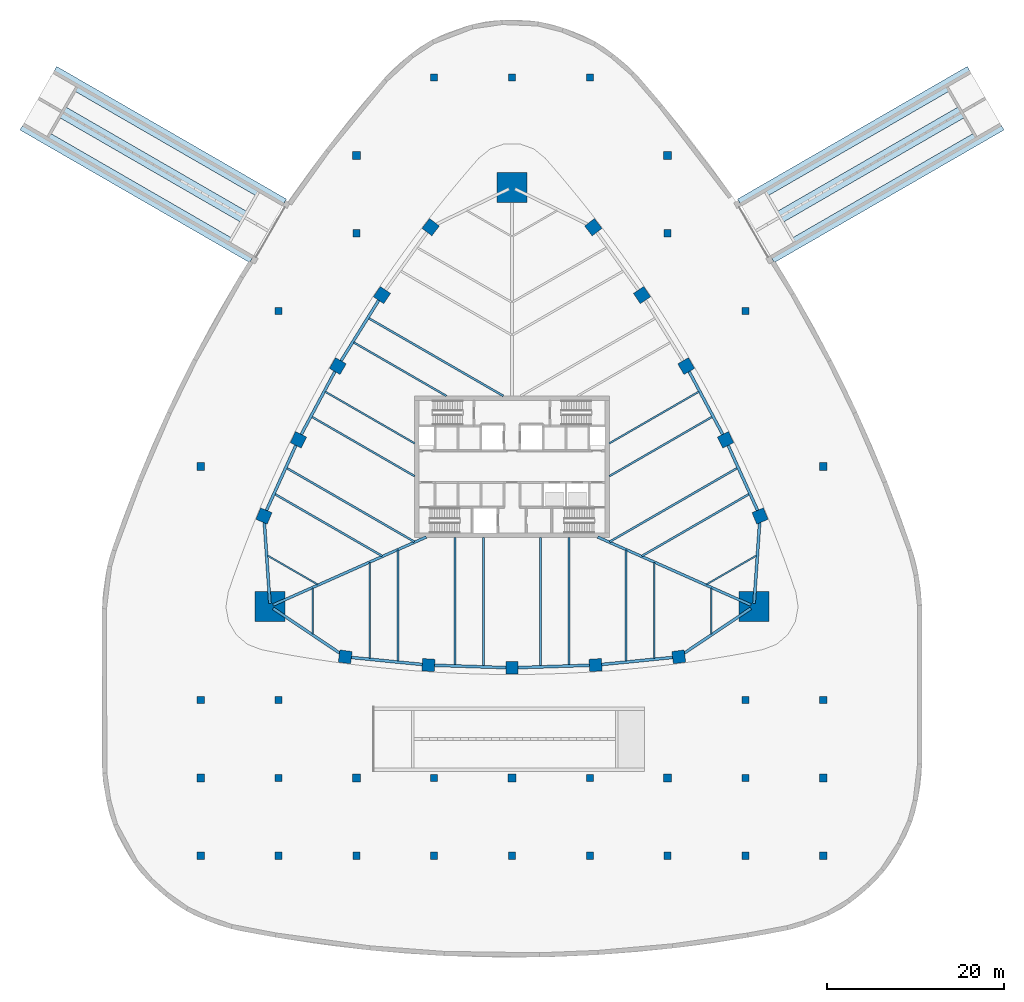
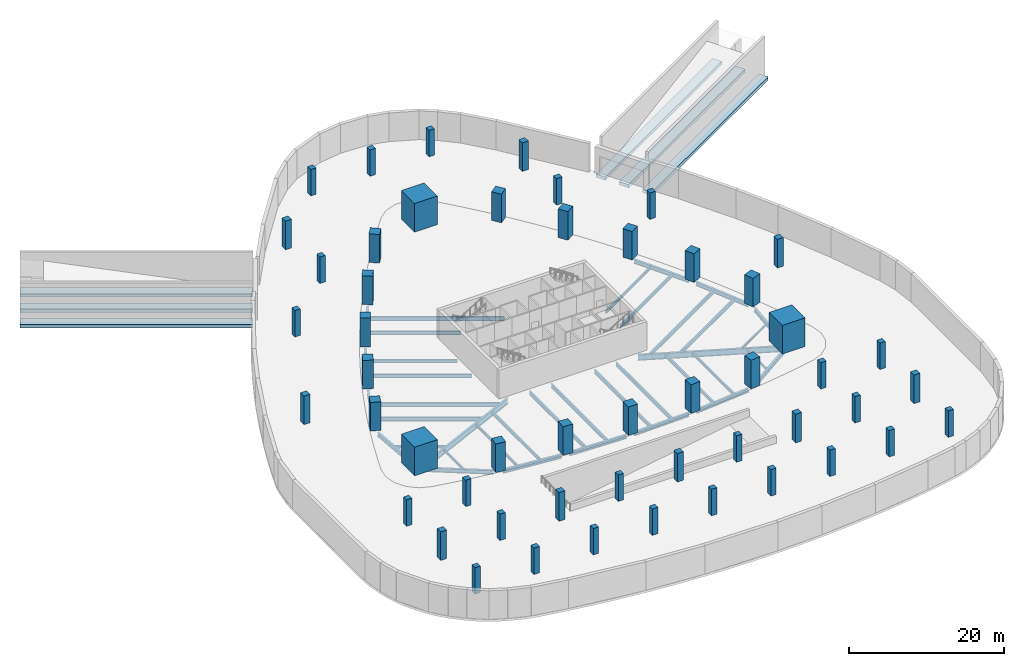
# One storey, part 1 of 10: 51 columns, 37 beams, 6 footings.
"""IFC4 building model written with IfcOpenShell, lengths in metres."""

from ifc_helpers import new_model, si_unit, direction, frame, origin, origin_2d, place, context, subcontext, project, spatial, polyline, rectangle, i_section, outline, extrude, material, material_profile, profile_set, type_object, element, save


model = new_model("IFC4")

# Units and contexts
model_context = context("Model", 3, precision=1e-05, world=origin(), true_north=direction((0.0, 1.0)))
body_context = subcontext(model_context, "Body", "Model", "MODEL_VIEW")
ifc_project = project(units=[si_unit("LENGTHUNIT", "METRE"), si_unit("AREAUNIT", "SQUARE_METRE"), si_unit("VOLUMEUNIT", "CUBIC_METRE"), si_unit("PLANEANGLEUNIT", "RADIAN"), si_unit("MASSUNIT", "GRAM", prefix="KILO")], contexts=[model_context])

# Site, building, storey
site_placement = place(None, origin())
site = spatial("IfcSite", under=ifc_project, at=site_placement, CompositionType="ELEMENT")
building_placement = place(site_placement, origin())
building = spatial("IfcBuilding", under=site, at=building_placement, Name="Sierra Prisma Convention Tower", CompositionType="ELEMENT")
storey_placement = place(building_placement, frame((0.0, 0.0, -4.5)))
storey = spatial("IfcBuildingStorey", under=building, at=storey_placement, Name="B1", CompositionType="ELEMENT", Elevation=-4.5)

# Footings
ifc_material_1 = material(Name="Concrete C30/37", Category="concrete")
footing_type = type_object("IfcFootingType", Name="Ramp strip footing 1400", PredefinedType="STRIP_FOOTING", material=ifc_material_1)
footing_1_placement = place(storey_placement, frame((0.0, 0.0, -1.10009765625)))
element("IfcFooting", 1, at=footing_1_placement, inside=storey, type_object=footing_type, Name="Car park ramp R1 footing left", PredefinedType="STRIP_FOOTING", context=body_context, shape_type="SweptSolid", body=[
    extrude(outline(polyline([(26.209228515625, 29.049072265625), (52.190185546875, 44.049072265625), (51.489990234375, 45.261474609375), (25.50927734375, 30.261474609375), (26.209228515625, 29.049072265625)])), origin(), (0.0, 0.0, 1.0), 0.5),
])
footing_2_placement = place(storey_placement, frame((0.0, 0.0, -1.10009765625)))
element("IfcFooting", 2, at=footing_2_placement, inside=storey, type_object=footing_type, Name="Car park ramp R1 footing right", PredefinedType="STRIP_FOOTING", context=body_context, shape_type="SweptSolid", body=[
    extrude(outline(polyline([(29.6591796875, 23.073486328125), (55.64013671875, 38.073486328125), (54.940185546875, 39.285888671875), (28.959228515625, 24.285888671875), (29.6591796875, 23.073486328125)])), origin(), (0.0, 0.0, 1.0), 0.5),
])
footing_3_placement = place(storey_placement, frame((0.0, 0.0, -1.10009765625)))
element("IfcFooting", 3, at=footing_3_placement, inside=storey, type_object=footing_type, Name="Car park ramp R1 spine footing", PredefinedType="STRIP_FOOTING", context=body_context, shape_type="SweptSolid", body=[
    extrude(outline(polyline([(27.934326171875, 26.061279296875), (53.9150390625, 41.061279296875), (53.215087890625, 42.273681640625), (27.234375, 27.273681640625), (27.934326171875, 26.061279296875)])), origin(), (0.0, 0.0, 1.0), 0.5),
])
footing_4_placement = place(storey_placement, frame((0.0, 0.0, -1.10009765625)))
element("IfcFooting", 4, at=footing_4_placement, inside=storey, type_object=footing_type, Name="Car park ramp R2 footing left", PredefinedType="STRIP_FOOTING", context=body_context, shape_type="SweptSolid", body=[
    extrude(outline(polyline([(-28.9599609375, 24.286376953125), (-54.94091796875, 39.286376953125), (-55.640869140625, 38.073974609375), (-29.659912109375, 23.073974609375), (-28.9599609375, 24.286376953125)])), origin(), (0.0, 0.0, 1.0), 0.5),
])
footing_5_placement = place(storey_placement, frame((0.0, 0.0, -1.10009765625)))
element("IfcFooting", 5, at=footing_5_placement, inside=storey, type_object=footing_type, Name="Car park ramp R2 footing right", PredefinedType="STRIP_FOOTING", context=body_context, shape_type="SweptSolid", body=[
    extrude(outline(polyline([(-25.510009765625, 30.261962890625), (-51.49072265625, 45.261962890625), (-52.19091796875, 44.04931640625), (-26.2099609375, 29.04931640625), (-25.510009765625, 30.261962890625)])), origin(), (0.0, 0.0, 1.0), 0.5),
])
footing_6_placement = place(storey_placement, frame((0.0, 0.0, -1.10009765625)))
element("IfcFooting", 6, at=footing_6_placement, inside=storey, type_object=footing_type, Name="Car park ramp R2 spine footing", PredefinedType="STRIP_FOOTING", context=body_context, shape_type="SweptSolid", body=[
    extrude(outline(polyline([(-27.235107421875, 27.274169921875), (-53.2158203125, 42.274169921875), (-53.915771484375, 41.061767578125), (-27.93505859375, 26.061767578125), (-27.235107421875, 27.274169921875)])), origin(), (0.0, 0.0, 1.0), 0.5),
])

# Columns
ifc_material_2 = material(Name="Concrete C60/75", Category="concrete")
ifc_material_profile_1 = material_profile(ifc_material_2, rectangle(XDim=0.800048828125, YDim=0.800048828125, at=origin_2d()), Name="Basement column RC 800 C60/75")
ifc_profile_set_1 = profile_set([ifc_material_profile_1], Name="Concrete C60/75")
column_type_1 = type_object("IfcColumnType", Name="Basement column RC 800 C60/75", PredefinedType="COLUMN", material=ifc_profile_set_1)
for number, where, z_axis, x_axis, name in (
    (7, (-35.199951171875, -44.0, 0.0), (0.0, 0.0, 1.0), (1.0, 0.0, 0.0), "Column B1 -35.2 -44.0"),
    (8, (-35.199951171875, -26.39990234375, 0.0), (0.0, 0.0, 1.0), (1.0, 0.0, 0.0), "Column B1 -35.2 -26.4"),
    (9, (-26.39990234375, -44.0, 0.0), (0.0, 0.0, 1.0), (1.0, 0.0, 0.0), "Column B1 -26.4 -44.0"),
    (10, (-26.39990234375, -35.199951171875, 0.0), (0.0, 0.0, 1.0), (1.0, 0.0, 0.0), "Column B1 -26.4 -35.2"),
    (11, (-26.39990234375, -26.39990234375, 0.0), (0.0, 0.0, 1.0), (1.0, 0.0, 0.0), "Column B1 -26.4 -26.4"),
    (12, (-26.39990234375, 17.60009765625, 0.0), (0.0, 0.0, 1.0), (1.0, 0.0, 0.0), "Column B1 -26.4 +17.6"),
    (13, (-17.60009765625, -44.0, 0.0), (0.0, 0.0, 1.0), (1.0, 0.0, 0.0), "Column B1 -17.6 -44.0"),
    (14, (-17.60009765625, 26.39990234375, 0.0), (0.0, 0.0, 1.0), (1.0, 0.0, 0.0), "Column B1 -17.6 +26.4"),
    (15, (-8.800048828125, -44.0, 0.0), (0.0, 0.0, 1.0), (1.0, 0.0, 0.0), "Column B1 -8.8 -44.0"),
    (16, (-8.800048828125, -35.199951171875, 0.0), (0.0, 0.0, 1.0), (1.0, 0.0, 0.0), "Column B1 -8.8 -35.2"),
    (17, (-8.800048828125, 44.0, 0.0), (0.0, 0.0, 1.0), (1.0, 0.0, 0.0), "Column B1 -8.8 +44.0"),
    (18, (0.0, -44.0, 0.0), (0.0, 0.0, 1.0), (1.0, 0.0, 0.0), "Column B1 +0.0 -44.0"),
    (19, (0.0, 44.0, 0.0), (0.0, 0.0, 1.0), (1.0, 0.0, 0.0), "Column B1 +0.0 +44.0"),
    (20, (8.800048828125, -44.0, 0.0), (0.0, 0.0, 1.0), (1.0, 0.0, 0.0), "Column B1 +8.8 -44.0"),
    (21, (8.800048828125, -35.199951171875, 0.0), (0.0, 0.0, 1.0), (1.0, 0.0, 0.0), "Column B1 +8.8 -35.2"),
    (22, (8.800048828125, 44.0, 0.0), (0.0, 0.0, 1.0), (1.0, 0.0, 0.0), "Column B1 +8.8 +44.0"),
    (23, (17.60009765625, -44.0, 0.0), (0.0, 0.0, 1.0), (1.0, 0.0, 0.0), "Column B1 +17.6 -44.0"),
    (24, (17.60009765625, 26.39990234375, 0.0), (0.0, 0.0, 1.0), (1.0, 0.0, 0.0), "Column B1 +17.6 +26.4"),
    (25, (26.39990234375, -44.0, 0.0), (0.0, 0.0, 1.0), (1.0, 0.0, 0.0), "Column B1 +26.4 -44.0"),
    (26, (26.39990234375, -35.199951171875, 0.0), (0.0, 0.0, 1.0), (1.0, 0.0, 0.0), "Column B1 +26.4 -35.2"),
    (27, (26.39990234375, -26.39990234375, 0.0), (0.0, 0.0, 1.0), (1.0, 0.0, 0.0), "Column B1 +26.4 -26.4"),
    (28, (26.39990234375, 17.60009765625, 0.0), (0.0, 0.0, 1.0), (1.0, 0.0, 0.0), "Column B1 +26.4 +17.6"),
    (29, (35.199951171875, -44.0, 0.0), (0.0, 0.0, 1.0), (1.0, 0.0, 0.0), "Column B1 +35.2 -44.0"),
    (30, (35.199951171875, -26.39990234375, 0.0), (0.0, 0.0, 1.0), (1.0, 0.0, 0.0), "Column B1 +35.2 -26.4"),
):
    element("IfcColumn", number, at=place(storey_placement, frame(where, z_axis=z_axis, x_axis=x_axis)), inside=storey, type_object=column_type_1, Name=name, PredefinedType="COLUMN", context=body_context, shape_type="SweptSolid", body=[
        extrude(rectangle(XDim=0.800048828125, YDim=0.800048828125, at=origin_2d()), origin(), (0.0, 0.0, 1.0), 4.14990234375),
    ])
ifc_material_3 = material(Name="Concrete C70/85", Category="concrete")
ifc_material_profile_2 = material_profile(ifc_material_3, rectangle(XDim=0.89990234375, YDim=0.89990234375, at=origin_2d()), Name="Hall column RC 900 C70/85")
ifc_profile_set_2 = profile_set([ifc_material_profile_2], Name="Concrete C70/85")
column_type_2 = type_object("IfcColumnType", Name="Hall column RC 900 C70/85", PredefinedType="COLUMN", material=ifc_profile_set_2)
for number, where, z_axis, x_axis, name in (
    (31, (-35.199951171875, -35.199951171875, 0.0), (0.0, 0.0, 1.0), (1.0, 0.0, 0.0), "Column B1 -35.2 -35.2"),
    (32, (-35.199951171875, 0.0, 0.0), (0.0, 0.0, 1.0), (1.0, 0.0, 0.0), "Column B1 -35.2 +0.0"),
    (33, (-17.60009765625, -35.199951171875, 0.0), (0.0, 0.0, 1.0), (1.0, 0.0, 0.0), "Column B1 -17.6 -35.2"),
    (34, (-17.60009765625, 35.199951171875, 0.0), (0.0, 0.0, 1.0), (1.0, 0.0, 0.0), "Column B1 -17.6 +35.2"),
    (35, (0.0, -35.199951171875, 0.0), (0.0, 0.0, 1.0), (1.0, 0.0, 0.0), "Column B1 +0.0 -35.2"),
    (36, (17.60009765625, -35.199951171875, 0.0), (0.0, 0.0, 1.0), (1.0, 0.0, 0.0), "Column B1 +17.6 -35.2"),
    (37, (17.60009765625, 35.199951171875, 0.0), (0.0, 0.0, 1.0), (1.0, 0.0, 0.0), "Column B1 +17.6 +35.2"),
    (38, (35.199951171875, -35.199951171875, 0.0), (0.0, 0.0, 1.0), (1.0, 0.0, 0.0), "Column B1 +35.2 -35.2"),
    (39, (35.199951171875, 0.0, 0.0), (0.0, 0.0, 1.0), (1.0, 0.0, 0.0), "Column B1 +35.2 +0.0"),
):
    element("IfcColumn", number, at=place(storey_placement, frame(where, z_axis=z_axis, x_axis=x_axis)), inside=storey, type_object=column_type_2, Name=name, PredefinedType="COLUMN", context=body_context, shape_type="SweptSolid", body=[
        extrude(rectangle(XDim=0.89990234375, YDim=0.89990234375, at=origin_2d()), origin(), (0.0, 0.0, 1.0), 4.5),
    ])
ifc_material_4 = material(Name="Concrete C70/85", Category="concrete")
ifc_material_profile_3 = material_profile(ifc_material_4, rectangle(XDim=3.39990234375, YDim=3.39990234375, at=origin_2d()), Name="Mega column RC 3400 C70/85")
ifc_profile_set_3 = profile_set([ifc_material_profile_3], Name="Concrete C70/85")
column_type_3 = type_object("IfcColumnType", Name="Mega column RC 3400 C70/85", PredefinedType="COLUMN", material=ifc_profile_set_3)
for number, where, z_axis, x_axis, name in (
    (40, (27.35498046875, -15.79345703125, 0.0), (0.0, 0.0, 1.0), (1.0, 0.0, 0.0), "Mega column SE B1"),
    (41, (0.0, 31.5869140625, 0.0), (0.0, 0.0, 1.0), (1.0, 0.0, 0.0), "Mega column N B1"),
    (42, (-27.35498046875, -15.79345703125, 0.0), (0.0, 0.0, 1.0), (1.0, 0.0, 0.0), "Mega column SW B1"),
):
    element("IfcColumn", number, at=place(storey_placement, frame(where, z_axis=z_axis, x_axis=x_axis)), inside=storey, type_object=column_type_3, Name=name, PredefinedType="COLUMN", context=body_context, shape_type="SweptSolid", body=[
        extrude(rectangle(XDim=3.39990234375, YDim=3.39990234375, at=origin_2d()), origin(), (0.0, 0.0, 1.0), 4.5),
    ])
ifc_material_5 = material(Name="Concrete C70/85", Category="concrete")
ifc_material_profile_4 = material_profile(ifc_material_5, rectangle(XDim=1.39990234375, YDim=1.39990234375, at=origin_2d()), Name="Perimeter column RC 1400 C70/85")
ifc_profile_set_4 = profile_set([ifc_material_profile_4], Name="Concrete C70/85")
column_type_4 = type_object("IfcColumnType", Name="Perimeter column RC 1400 C70/85", PredefinedType="COLUMN", material=ifc_profile_set_4)
for number, where, z_axis, x_axis, name in (
    (43, (-18.85986328125, -21.50830078125, 0.0), (0.0, 0.0, 1.0), (-0.991367231014, 0.131114504428, 0.0), "Perimeter column S-1 B1"),
    (44, (-9.450439453125, -22.439208984375, 0.0), (0.0, 0.0, 1.0), (-0.997839473817, 0.06569919705, 0.0), "Perimeter column S-2 B1"),
    (45, (0.0, -22.75, 0.0), (0.0, 0.0, 1.0), (1.0, 0.0, 0.0), "Perimeter column S-3 B1"),
    (46, (9.450439453125, -22.439208984375, 0.0), (0.0, 0.0, 1.0), (0.997839473817, 0.06569919705, 0.0), "Perimeter column S-4 B1"),
    (47, (18.85986328125, -21.50830078125, 0.0), (0.0, 0.0, 1.0), (0.991367231014, 0.131114504428, 0.0), "Perimeter column S-5 B1"),
    (48, (28.056640625, -5.5791015625, 0.0), (0.0, 0.0, 1.0), (-0.382135123868, 0.924106458752, 0.0), "Perimeter column NE-1 B1"),
    (49, (24.158203125, 3.035400390625, 0.0), (0.0, 0.0, 1.0), (-0.442022563255, 0.897003931749, 0.0), "Perimeter column NE-2 B1"),
    (50, (19.7021484375, 11.375, 0.0), (0.0, 0.0, 1.0), (-0.5, 0.866025403784, 0.0), "Perimeter column NE-3 B1"),
    (51, (14.707763671875, 19.40380859375, 0.0), (0.0, 0.0, 1.0), (-0.555816910562, 0.8313047347, 0.0), "Perimeter column NE-4 B1"),
    (52, (9.19677734375, 27.08740234375, 0.0), (0.0, 0.0, 1.0), (-0.609232107146, 0.792991954324, 0.0), "Perimeter column NE-5 B1"),
    (53, (-9.19677734375, 27.08740234375, 0.0), (0.0, 0.0, 1.0), (0.609232107146, 0.792991954324, 0.0), "Perimeter column NW-1 B1"),
    (54, (-14.707763671875, 19.40380859375, 0.0), (0.0, 0.0, 1.0), (0.555816910562, 0.8313047347, 0.0), "Perimeter column NW-2 B1"),
    (55, (-19.7021484375, 11.375, 0.0), (0.0, 0.0, 1.0), (0.5, 0.866025403784, 0.0), "Perimeter column NW-3 B1"),
    (56, (-24.158203125, 3.035400390625, 0.0), (0.0, 0.0, 1.0), (0.442022563255, 0.897003931749, 0.0), "Perimeter column NW-4 B1"),
    (57, (-28.056640625, -5.5791015625, 0.0), (0.0, 0.0, 1.0), (0.382135123868, 0.924106458752, 0.0), "Perimeter column NW-5 B1"),
):
    element("IfcColumn", number, at=place(storey_placement, frame(where, z_axis=z_axis, x_axis=x_axis)), inside=storey, type_object=column_type_4, Name=name, PredefinedType="COLUMN", context=body_context, shape_type="SweptSolid", body=[
        extrude(rectangle(XDim=1.39990234375, YDim=1.39990234375, at=origin_2d()), origin(), (0.0, 0.0, 1.0), 4.5),
    ])

# Beams
ifc_material_6 = material(Name="Steel ASTM A992 Gr 50", Category="steel")
ifc_material_profile_5 = material_profile(ifc_material_6, i_section(OverallWidth=0.172119140625, OverallDepth=0.35791015625, WebThickness=0.0078125, FlangeThickness=0.01318359375, at=origin_2d()), Name="W360x57")
ifc_profile_set_5 = profile_set([ifc_material_profile_5], Name="Steel ASTM A992 Gr 50")
beam_type_1 = type_object("IfcBeamType", Name="Floor joist W360x57", PredefinedType="JOIST", material=ifc_profile_set_5)
for number, where, z_axis, x_axis, name in (
    (58, (-22.52783203125, -18.89501953125, -0.428955078125), (0.0, 1.0, 0.0), (-1.0, 0.0, 0.0), "Floor joist B1 S02"),
    (59, (22.52783203125, -18.89501953125, -0.428955078125), (0.0, 1.0, 0.0), (-1.0, 0.0, 0.0), "Floor joist B1 S16"),
):
    element("IfcBeam", number, at=place(storey_placement, frame(where, z_axis=z_axis, x_axis=x_axis)), inside=storey, type_object=beam_type_1, Name=name, PredefinedType="JOIST", context=body_context, shape_type="SweptSolid", body=[
        extrude(i_section(OverallWidth=0.172119140625, OverallDepth=0.35791015625, WebThickness=0.0078125, FlangeThickness=0.01318359375, at=origin_2d()), origin(), (0.0, 0.0, 1.0), 5.177978515625),
    ])
for number, where, z_axis, x_axis, name in (
    (60, (27.62744140625, -10.06201171875, -0.428955078125), (-0.866022747659, -0.500004600516, 0.0), (0.500004600516, -0.866022747659, 0.0), "Floor joist B1 NE02"),
    (61, (-27.62744140625, -10.06201171875, -0.428955078125), (0.866022747659, -0.500004600516, 0.0), (0.500004600516, 0.866022747659, 0.0), "Floor joist B1 NW16"),
):
    element("IfcBeam", number, at=place(storey_placement, frame(where, z_axis=z_axis, x_axis=x_axis)), inside=storey, type_object=beam_type_1, Name=name, PredefinedType="JOIST", context=body_context, shape_type="SweptSolid", body=[
        extrude(i_section(OverallWidth=0.172119140625, OverallDepth=0.35791015625, WebThickness=0.0078125, FlangeThickness=0.01318359375, at=origin_2d()), origin(), (0.0, 0.0, 1.0), 6.54150390625),
    ])
ifc_material_7 = material(Name="Steel ASTM A992 Gr 50", Category="steel")
ifc_material_profile_6 = material_profile(ifc_material_7, i_section(OverallWidth=0.18994140625, OverallDepth=0.45703125, WebThickness=0.009033203125, FlangeThickness=0.014404296875, at=origin_2d()), Name="W460x74")
ifc_profile_set_6 = profile_set([ifc_material_profile_6], Name="Steel ASTM A992 Gr 50")
beam_type_2 = type_object("IfcBeamType", Name="Floor joist W460x74", PredefinedType="JOIST", material=ifc_profile_set_6)
for number, where, z_axis, x_axis, name in (
    (62, (-16.09130859375, -21.6689453125, -0.478515625), (0.0, 1.0, 0.0), (-1.0, 0.0, 0.0), "Floor joist B1 S04"),
    (63, (16.09130859375, -21.6689453125, -0.478515625), (0.0, 1.0, 0.0), (-1.0, 0.0, 0.0), "Floor joist B1 S14"),
):
    element("IfcBeam", number, at=place(storey_placement, frame(where, z_axis=z_axis, x_axis=x_axis)), inside=storey, type_object=beam_type_2, Name=name, PredefinedType="JOIST", context=body_context, shape_type="SweptSolid", body=[
        extrude(i_section(OverallWidth=0.18994140625, OverallDepth=0.45703125, WebThickness=0.009033203125, FlangeThickness=0.014404296875, at=origin_2d()), origin(), (0.0, 0.0, 1.0), 10.8095703125),
    ])
for number, where, z_axis, x_axis, name in (
    (64, (21.1220703125, 8.478759765625, -0.478515625), (-0.866024880635, -0.500000906121, 0.0), (0.500000906121, -0.866024880635, 0.0), "Floor joist B1 NE08"),
    (65, (-21.1220703125, 8.478759765625, -0.478515625), (0.866024880635, -0.500000906121, 0.0), (0.500000906121, 0.866024880635, 0.0), "Floor joist B1 NW10"),
):
    element("IfcBeam", number, at=place(storey_placement, frame(where, z_axis=z_axis, x_axis=x_axis)), inside=storey, type_object=beam_type_2, Name=name, PredefinedType="JOIST", context=body_context, shape_type="SweptSolid", body=[
        extrude(i_section(OverallWidth=0.18994140625, OverallDepth=0.45703125, WebThickness=0.009033203125, FlangeThickness=0.014404296875, at=origin_2d()), origin(), (0.0, 0.0, 1.0), 11.68798828125),
    ])
ifc_material_8 = material(Name="Steel ASTM A992 Gr 50", Category="steel")
ifc_material_profile_7 = material_profile(ifc_material_8, i_section(OverallWidth=0.208984375, OverallDepth=0.532958984375, WebThickness=0.01025390625, FlangeThickness=0.015625, at=origin_2d()), Name="W530x92")
ifc_profile_set_7 = profile_set([ifc_material_profile_7], Name="Steel ASTM A992 Gr 50")
beam_type_3 = type_object("IfcBeamType", Name="Floor joist W530x92", PredefinedType="JOIST", material=ifc_profile_set_7)
for number, where, z_axis, x_axis, name in (
    (66, (-12.873046875, -21.9873046875, -0.5166015625), (0.0, 1.0, 0.0), (-1.0, 0.0, 0.0), "Floor joist B1 S05"),
    (67, (12.873046875, -21.9873046875, -0.5166015625), (0.0, 1.0, 0.0), (-1.0, 0.0, 0.0), "Floor joist B1 S13"),
):
    element("IfcBeam", number, at=place(storey_placement, frame(where, z_axis=z_axis, x_axis=x_axis)), inside=storey, type_object=beam_type_3, Name=name, PredefinedType="JOIST", context=body_context, shape_type="SweptSolid", body=[
        extrude(i_section(OverallWidth=0.208984375, OverallDepth=0.532958984375, WebThickness=0.01025390625, FlangeThickness=0.015625, at=origin_2d()), origin(), (0.0, 0.0, 1.0), 12.556640625),
    ])
beam_1_placement = place(storey_placement, frame((22.639404296875, 5.638671875, -0.5166015625), z_axis=(-0.866026773083, -0.499997628298, 0.0), x_axis=(0.499997628298, -0.866026773083, 0.0)))
element("IfcBeam", 68, at=beam_1_placement, inside=storey, type_object=beam_type_3, Name="Floor joist B1 NE07", PredefinedType="JOIST", context=body_context, shape_type="SweptSolid", body=[
    extrude(i_section(OverallWidth=0.208984375, OverallDepth=0.532958984375, WebThickness=0.01025390625, FlangeThickness=0.015625, at=origin_2d()), origin(), (0.0, 0.0, 1.0), 13.43994140625),
])
beam_2_placement = place(storey_placement, frame((-17.90380859375, 14.052978515625, -0.5166015625), z_axis=(0.866021694642, -0.500006424369, 0.0), x_axis=(0.500006424369, 0.866021694642, 0.0)))
element("IfcBeam", 69, at=beam_2_placement, inside=storey, type_object=beam_type_3, Name="Floor joist B1 NW08", PredefinedType="JOIST", context=body_context, shape_type="SweptSolid", body=[
    extrude(i_section(OverallWidth=0.208984375, OverallDepth=0.532958984375, WebThickness=0.01025390625, FlangeThickness=0.015625, at=origin_2d()), origin(), (0.0, 0.0, 1.0), 12.105712890625),
])
beam_3_placement = place(storey_placement, frame((-22.639404296875, 5.638671875, -0.5166015625), z_axis=(0.866026773083, -0.499997628298, 0.0), x_axis=(0.499997628298, 0.866026773083, 0.0)))
element("IfcBeam", 70, at=beam_3_placement, inside=storey, type_object=beam_type_3, Name="Floor joist B1 NW11", PredefinedType="JOIST", context=body_context, shape_type="SweptSolid", body=[
    extrude(i_section(OverallWidth=0.208984375, OverallDepth=0.532958984375, WebThickness=0.01025390625, FlangeThickness=0.015625, at=origin_2d()), origin(), (0.0, 0.0, 1.0), 13.43994140625),
])
ifc_material_9 = material(Name="Steel ASTM A992 Gr 50", Category="steel")
ifc_material_profile_8 = material_profile(ifc_material_9, i_section(OverallWidth=0.22802734375, OverallDepth=0.60302734375, WebThickness=0.010498046875, FlangeThickness=0.014892578125, at=origin_2d()), Name="W610x101")
ifc_profile_set_8 = profile_set([ifc_material_profile_8], Name="Steel ASTM A992 Gr 50")
beam_type_4 = type_object("IfcBeamType", Name="Floor joist W610x101", PredefinedType="JOIST", material=ifc_profile_set_8)
beam_4_placement = place(storey_placement, frame((-6.4365234375, -22.42578125, -0.551513671875), z_axis=(0.0, 1.0, 0.0), x_axis=(-1.0, 0.0, 0.0)))
element("IfcBeam", 71, at=beam_4_placement, inside=storey, type_object=beam_type_4, Name="Floor joist B1 S07", PredefinedType="JOIST", context=body_context, shape_type="SweptSolid", body=[
    extrude(i_section(OverallWidth=0.22802734375, OverallDepth=0.60302734375, WebThickness=0.010498046875, FlangeThickness=0.014892578125, at=origin_2d()), origin(), (0.0, 0.0, 1.0), 14.42578125),
])
for number, where, z_axis, x_axis, name in (
    (72, (-3.21826171875, -22.531494140625, -0.551513671875), (0.0, 1.0, 0.0), (-1.0, 0.0, 0.0), "Floor joist B1 S08"),
    (73, (3.21826171875, -22.531494140625, -0.551513671875), (0.0, 1.0, 0.0), (-1.0, 0.0, 0.0), "Floor joist B1 S10"),
):
    element("IfcBeam", number, at=place(storey_placement, frame(where, z_axis=z_axis, x_axis=x_axis)), inside=storey, type_object=beam_type_4, Name=name, PredefinedType="JOIST", context=body_context, shape_type="SweptSolid", body=[
        extrude(i_section(OverallWidth=0.22802734375, OverallDepth=0.60302734375, WebThickness=0.010498046875, FlangeThickness=0.014892578125, at=origin_2d()), origin(), (0.0, 0.0, 1.0), 14.531494140625),
    ])
beam_5_placement = place(storey_placement, frame((6.4365234375, -22.42578125, -0.551513671875), z_axis=(0.0, 1.0, 0.0), x_axis=(-1.0, 0.0, 0.0)))
element("IfcBeam", 74, at=beam_5_placement, inside=storey, type_object=beam_type_4, Name="Floor joist B1 S11", PredefinedType="JOIST", context=body_context, shape_type="SweptSolid", body=[
    extrude(i_section(OverallWidth=0.22802734375, OverallDepth=0.60302734375, WebThickness=0.010498046875, FlangeThickness=0.014892578125, at=origin_2d()), origin(), (0.0, 0.0, 1.0), 14.42578125),
])
beam_6_placement = place(storey_placement, frame((26.8115234375, -3.10107421875, -0.551513671875), z_axis=(-0.866032862007, -0.499987081758, 0.0), x_axis=(0.499987081758, -0.866032862007, 0.0)))
element("IfcBeam", 75, at=beam_6_placement, inside=storey, type_object=beam_type_4, Name="Floor joist B1 NE04", PredefinedType="JOIST", context=body_context, shape_type="SweptSolid", body=[
    extrude(i_section(OverallWidth=0.22802734375, OverallDepth=0.60302734375, WebThickness=0.010498046875, FlangeThickness=0.014892578125, at=origin_2d()), origin(), (0.0, 0.0, 1.0), 14.002197265625),
])
beam_7_placement = place(storey_placement, frame((25.47802734375, -0.15478515625, -0.551513671875), z_axis=(-0.866027491634, -0.499996383721, 0.0), x_axis=(0.499996383721, -0.866027491634, 0.0)))
element("IfcBeam", 76, at=beam_7_placement, inside=storey, type_object=beam_type_4, Name="Floor joist B1 NE05", PredefinedType="JOIST", context=body_context, shape_type="SweptSolid", body=[
    extrude(i_section(OverallWidth=0.22802734375, OverallDepth=0.60302734375, WebThickness=0.010498046875, FlangeThickness=0.014892578125, at=origin_2d()), origin(), (0.0, 0.0, 1.0), 16.6640625),
])
beam_8_placement = place(storey_placement, frame((-16.203125, 16.787109375, -0.551513671875), z_axis=(0.866025498715, -0.499999835575, 0.0), x_axis=(0.499999835575, 0.866025498715, 0.0)))
element("IfcBeam", 77, at=beam_8_placement, inside=storey, type_object=beam_type_4, Name="Floor joist B1 NW07", PredefinedType="JOIST", context=body_context, shape_type="SweptSolid", body=[
    extrude(i_section(OverallWidth=0.22802734375, OverallDepth=0.60302734375, WebThickness=0.010498046875, FlangeThickness=0.014892578125, at=origin_2d()), origin(), (0.0, 0.0, 1.0), 17.57421875),
])
beam_9_placement = place(storey_placement, frame((-25.47802734375, -0.15478515625, -0.551513671875), z_axis=(0.866027491634, -0.499996383721, 0.0), x_axis=(0.499996383721, 0.866027491634, 0.0)))
element("IfcBeam", 78, at=beam_9_placement, inside=storey, type_object=beam_type_4, Name="Floor joist B1 NW13", PredefinedType="JOIST", context=body_context, shape_type="SweptSolid", body=[
    extrude(i_section(OverallWidth=0.22802734375, OverallDepth=0.60302734375, WebThickness=0.010498046875, FlangeThickness=0.014892578125, at=origin_2d()), origin(), (0.0, 0.0, 1.0), 16.6640625),
])
beam_10_placement = place(storey_placement, frame((-26.8115234375, -3.10107421875, -0.551513671875), z_axis=(0.866032862007, -0.499987081758, 0.0), x_axis=(0.499987081758, 0.866032862007, 0.0)))
element("IfcBeam", 79, at=beam_10_placement, inside=storey, type_object=beam_type_4, Name="Floor joist B1 NW14", PredefinedType="JOIST", context=body_context, shape_type="SweptSolid", body=[
    extrude(i_section(OverallWidth=0.22802734375, OverallDepth=0.60302734375, WebThickness=0.010498046875, FlangeThickness=0.014892578125, at=origin_2d()), origin(), (0.0, 0.0, 1.0), 14.002197265625),
])
ifc_material_10 = material(Name="Steel ASTM A992 Gr 50", Category="steel")
ifc_material_profile_9 = material_profile(ifc_material_10, i_section(OverallWidth=0.303955078125, OverallDepth=0.903076171875, WebThickness=0.01513671875, FlangeThickness=0.02001953125, at=origin_2d()), Name="W920x201")
ifc_profile_set_9 = profile_set([ifc_material_profile_9], Name="Steel ASTM A992 Gr 50")
beam_type_5 = type_object("IfcBeamType", Name="Radial girder W920x201", PredefinedType="BEAM", material=ifc_profile_set_9)
for number, where, z_axis, x_axis, name in (
    (80, (27.01513671875, -15.642578125, -0.701416015625), (-0.91398196052, 0.405754822331, 0.0), (-0.405754822331, -0.91398196052, 0.0), "Radial girder B1 SE"),
    (81, (-27.01513671875, -15.642578125, -0.701416015625), (0.91398196052, 0.405754822331, 0.0), (-0.405754822331, 0.91398196052, 0.0), "Radial girder B1 SW"),
):
    element("IfcBeam", number, at=place(storey_placement, frame(where, z_axis=z_axis, x_axis=x_axis)), inside=storey, type_object=beam_type_5, Name=name, PredefinedType="BEAM", context=body_context, shape_type="SweptSolid", body=[
        extrude(i_section(OverallWidth=0.303955078125, OverallDepth=0.903076171875, WebThickness=0.01513671875, FlangeThickness=0.02001953125, at=origin_2d()), origin(), (0.0, 0.0, 1.0), 18.955078125),
    ])
ifc_material_11 = material(Name="Steel ASTM A992 Gr 50", Category="steel")
ifc_material_profile_10 = material_profile(ifc_material_11, i_section(OverallWidth=0.324951171875, OverallDepth=0.615966796875, WebThickness=0.013916015625, FlangeThickness=0.021484375, at=origin_2d()), Name="W610x174")
ifc_profile_set_10 = profile_set([ifc_material_profile_10], Name="Steel ASTM A992 Gr 50")
beam_type_6 = type_object("IfcBeamType", Name="Spandrel beam W610x174", PredefinedType="BEAM", material=ifc_profile_set_10)
beam_11_placement = place(storey_placement, frame((-27.01513671875, -16.022216796875, -0.55810546875), z_axis=(0.829740498665, -0.558149357139, 0.0), x_axis=(0.558149357139, 0.829740498665, 0.0)))
element("IfcBeam", 82, at=beam_11_placement, inside=storey, type_object=beam_type_6, Name="Spandrel B1-01", PredefinedType="BEAM", context=body_context, shape_type="SweptSolid", body=[
    extrude(i_section(OverallWidth=0.324951171875, OverallDepth=0.615966796875, WebThickness=0.013916015625, FlangeThickness=0.021484375, at=origin_2d()), origin(), (0.0, 0.0, 1.0), 9.167236328125),
])
beam_12_placement = place(storey_placement, frame((-18.2822265625, -21.5654296875, -0.55810546875), z_axis=(0.99514126278, -0.098457438079, 0.0), x_axis=(0.098457438079, 0.99514126278, 0.0)))
element("IfcBeam", 83, at=beam_12_placement, inside=storey, type_object=beam_type_6, Name="Spandrel B1-02", PredefinedType="BEAM", context=body_context, shape_type="SweptSolid", body=[
    extrude(i_section(OverallWidth=0.324951171875, OverallDepth=0.615966796875, WebThickness=0.013916015625, FlangeThickness=0.021484375, at=origin_2d()), origin(), (0.0, 0.0, 1.0), 8.29443359375),
])
for number, where, z_axis, x_axis, name in (
    (84, (-8.870361328125, -22.458251953125, -0.55810546875), (0.999459413184, -0.032876760742, 0.0), (0.032876760742, 0.999459413184, 0.0), "Spandrel B1-03"),
    (85, (0.580078125, -22.73095703125, -0.55810546875), (0.999459413184, 0.032876760742, 0.0), (-0.032876760742, 0.999459413184, 0.0), "Spandrel B1-04"),
):
    element("IfcBeam", number, at=place(storey_placement, frame(where, z_axis=z_axis, x_axis=x_axis)), inside=storey, type_object=beam_type_6, Name=name, PredefinedType="BEAM", context=body_context, shape_type="SweptSolid", body=[
        extrude(i_section(OverallWidth=0.324951171875, OverallDepth=0.615966796875, WebThickness=0.013916015625, FlangeThickness=0.021484375, at=origin_2d()), origin(), (0.0, 0.0, 1.0), 8.294677734375),
    ])
beam_13_placement = place(storey_placement, frame((10.028076171875, -22.382080078125, -0.55810546875), z_axis=(0.99514126278, 0.098457438079, 0.0), x_axis=(-0.098457438079, 0.99514126278, 0.0)))
element("IfcBeam", 86, at=beam_13_placement, inside=storey, type_object=beam_type_6, Name="Spandrel B1-05", PredefinedType="BEAM", context=body_context, shape_type="SweptSolid", body=[
    extrude(i_section(OverallWidth=0.324951171875, OverallDepth=0.615966796875, WebThickness=0.013916015625, FlangeThickness=0.021484375, at=origin_2d()), origin(), (0.0, 0.0, 1.0), 8.29443359375),
])
beam_14_placement = place(storey_placement, frame((19.40869140625, -21.138916015625, -0.55810546875), z_axis=(0.829740498665, 0.558149357139, 0.0), x_axis=(-0.558149357139, 0.829740498665, 0.0)))
element("IfcBeam", 87, at=beam_14_placement, inside=storey, type_object=beam_type_6, Name="Spandrel B1-06", PredefinedType="BEAM", context=body_context, shape_type="SweptSolid", body=[
    extrude(i_section(OverallWidth=0.324951171875, OverallDepth=0.615966796875, WebThickness=0.013916015625, FlangeThickness=0.021484375, at=origin_2d()), origin(), (0.0, 0.0, 1.0), 9.167236328125),
])
beam_15_placement = place(storey_placement, frame((27.37841796875, -15.453369140625, -0.55810546875), z_axis=(0.06851541914, 0.997650057555, 0.0), x_axis=(-0.997650057555, 0.06851541914, 0.0)))
element("IfcBeam", 88, at=beam_15_placement, inside=storey, type_object=beam_type_6, Name="Spandrel B1-07", PredefinedType="BEAM", context=body_context, shape_type="SweptSolid", body=[
    extrude(i_section(OverallWidth=0.324951171875, OverallDepth=0.615966796875, WebThickness=0.013916015625, FlangeThickness=0.021484375, at=origin_2d()), origin(), (0.0, 0.0, 1.0), 9.236083984375),
])
beam_16_placement = place(storey_placement, frame((27.8173828125, -5.05029296875, -0.55810546875), z_axis=(-0.41230108384, 0.911047647637, 0.0), x_axis=(-0.911047647637, -0.41230108384, 0.0)))
element("IfcBeam", 89, at=beam_16_placement, inside=storey, type_object=beam_type_6, Name="Spandrel B1-08", PredefinedType="BEAM", context=body_context, shape_type="SweptSolid", body=[
    extrude(i_section(OverallWidth=0.324951171875, OverallDepth=0.615966796875, WebThickness=0.013916015625, FlangeThickness=0.021484375, at=origin_2d()), origin(), (0.0, 0.0, 1.0), 8.294677734375),
])
beam_17_placement = place(storey_placement, frame((23.884521484375, 3.54736328125, -0.55810546875), z_axis=(-0.471267929576, 0.881990101165, 0.0), x_axis=(-0.881990101165, -0.471267929576, 0.0)))
element("IfcBeam", 90, at=beam_17_placement, inside=storey, type_object=beam_type_6, Name="Spandrel B1-09", PredefinedType="BEAM", context=body_context, shape_type="SweptSolid", body=[
    extrude(i_section(OverallWidth=0.324951171875, OverallDepth=0.615966796875, WebThickness=0.013916015625, FlangeThickness=0.021484375, at=origin_2d()), origin(), (0.0, 0.0, 1.0), 8.29443359375),
])
beam_18_placement = place(storey_placement, frame((-15.014404296875, 18.9111328125, -0.55810546875), z_axis=(-0.528185415417, -0.849129063771, 0.0), x_axis=(0.849129063771, -0.528185415417, 0.0)))
element("IfcBeam", 91, at=beam_18_placement, inside=storey, type_object=beam_type_6, Name="Spandrel B1-15", PredefinedType="BEAM", context=body_context, shape_type="SweptSolid", body=[
    extrude(i_section(OverallWidth=0.324951171875, OverallDepth=0.615966796875, WebThickness=0.013916015625, FlangeThickness=0.021484375, at=origin_2d()), origin(), (0.0, 0.0, 1.0), 8.294677734375),
])
beam_19_placement = place(storey_placement, frame((-19.9755859375, 10.863037109375, -0.55810546875), z_axis=(-0.471267929576, -0.881990101165, 0.0), x_axis=(0.881990101165, -0.471267929576, 0.0)))
element("IfcBeam", 92, at=beam_19_placement, inside=storey, type_object=beam_type_6, Name="Spandrel B1-16", PredefinedType="BEAM", context=body_context, shape_type="SweptSolid", body=[
    extrude(i_section(OverallWidth=0.324951171875, OverallDepth=0.615966796875, WebThickness=0.013916015625, FlangeThickness=0.021484375, at=origin_2d()), origin(), (0.0, 0.0, 1.0), 8.29443359375),
])
beam_20_placement = place(storey_placement, frame((-24.3974609375, 2.506591796875, -0.55810546875), z_axis=(-0.41230108384, -0.911047647637, 0.0), x_axis=(0.911047647637, -0.41230108384, 0.0)))
element("IfcBeam", 93, at=beam_20_placement, inside=storey, type_object=beam_type_6, Name="Spandrel B1-17", PredefinedType="BEAM", context=body_context, shape_type="SweptSolid", body=[
    extrude(i_section(OverallWidth=0.324951171875, OverallDepth=0.615966796875, WebThickness=0.013916015625, FlangeThickness=0.021484375, at=origin_2d()), origin(), (0.0, 0.0, 1.0), 8.294677734375),
])
beam_21_placement = place(storey_placement, frame((-28.01123046875, -6.239013671875, -0.55810546875), z_axis=(0.06851541914, -0.997650057555, 0.0), x_axis=(0.997650057555, 0.06851541914, 0.0)))
element("IfcBeam", 94, at=beam_21_placement, inside=storey, type_object=beam_type_6, Name="Spandrel B1-18", PredefinedType="BEAM", context=body_context, shape_type="SweptSolid", body=[
    extrude(i_section(OverallWidth=0.324951171875, OverallDepth=0.615966796875, WebThickness=0.013916015625, FlangeThickness=0.021484375, at=origin_2d()), origin(), (0.0, 0.0, 1.0), 9.236083984375),
])

save(model, "model.ifc")
